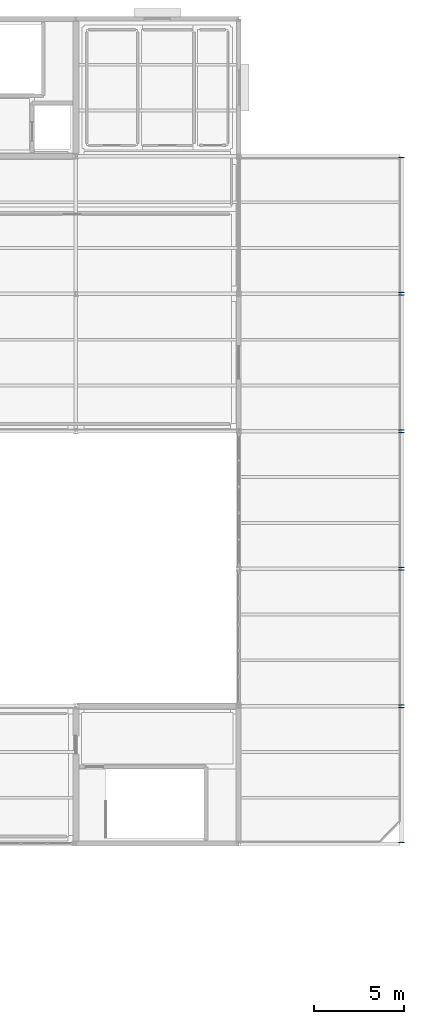
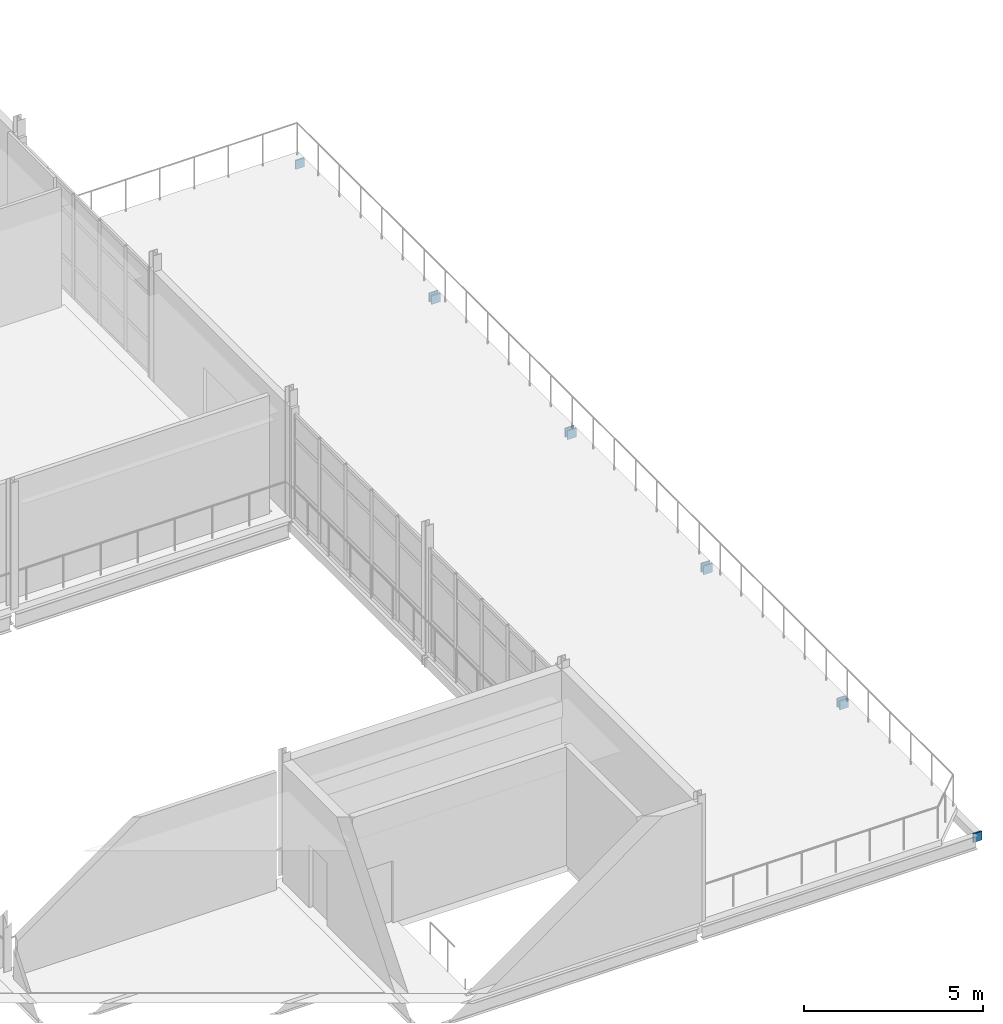
# One storey, part 40 of 48: 10 plates.
"""IFC4 building model written with IfcOpenShell, lengths in metres."""

from ifc_helpers import new_model, si_unit, direction, frame, origin, origin_2d, place, context, subcontext, project, spatial, rectangle, extrude, material, layer, layer_set, type_object, element, save


model = new_model("IFC4")

# Units and contexts
model_context = context("Model", 3, precision=1e-05, world=origin(), true_north=direction((0.0, 1.0)))
body_context = subcontext(model_context, "Body", "Model", "MODEL_VIEW")
ifc_project = project(units=[si_unit("LENGTHUNIT", "METRE"), si_unit("AREAUNIT", "SQUARE_METRE"), si_unit("VOLUMEUNIT", "CUBIC_METRE"), si_unit("PLANEANGLEUNIT", "RADIAN"), si_unit("MASSUNIT", "GRAM", prefix="KILO")], contexts=[model_context])

# Site, building, storey
site_placement = place(None, origin())
site = spatial("IfcSite", under=ifc_project, at=site_placement, CompositionType="ELEMENT")
building_placement = place(site_placement, origin())
building = spatial("IfcBuilding", under=site, at=building_placement, Name="Caisbarro Railhouse Central Library", CompositionType="ELEMENT")
storey_placement = place(building_placement, frame((0.0, 0.0, 18.0)))
storey = spatial("IfcBuildingStorey", under=building, at=storey_placement, Name="L04", CompositionType="ELEMENT", Elevation=18.0)

# Plates
ifc_material = material(Name="Steel ASTM A572 Grade 50", Category="steel")
ifc_layer = layer(ifc_material, 0.044921875, Name="Steel ASTM A572 Grade 50")
ifc_layer_set = layer_set([ifc_layer], Name="Steel ASTM A572 Grade 50")
plate_type = type_object("IfcPlateType", Name="PLT-EP01", PredefinedType="SHEET", material=ifc_layer_set)
for number, where, z_axis, x_axis, name in (
    (1, (153.0, 68.468017578125, -0.51025390625), (0.0, 0.0, 1.0), (0.0, 1.0, 0.0), "EP01 end cap plate"),
    (2, (153.0, 75.931884765625, -0.51025390625), (0.0, 0.0, 1.0), (0.0, 1.0, 0.0), "EP01 end cap plate"),
    (3, (153.0, 76.068115234375, -0.51025390625), (0.0, 0.0, 1.0), (0.0, 1.0, 0.0), "EP01 end cap plate"),
    (4, (153.0, 83.531982421875, -0.51025390625), (0.0, 0.0, 1.0), (0.0, 1.0, 0.0), "EP01 end cap plate"),
    (5, (153.0, 83.66796875, -0.51025390625), (0.0, 0.0, 1.0), (0.0, 1.0, 0.0), "EP01 end cap plate"),
    (6, (153.0, 91.132080078125, -0.51025390625), (0.0, 0.0, 1.0), (0.0, 1.0, 0.0), "EP01 end cap plate"),
    (7, (153.0, 91.26806640625, -0.51025390625), (0.0, 0.0, 1.0), (0.0, 1.0, 0.0), "EP01 end cap plate"),
    (8, (153.0, 98.73193359375, -0.51025390625), (0.0, 0.0, 1.0), (0.0, 1.0, 0.0), "EP01 end cap plate"),
    (9, (153.0, 98.867919921875, -0.51025390625), (0.0, 0.0, 1.0), (0.0, 1.0, 0.0), "EP01 end cap plate"),
    (10, (153.0, 106.33203125, -0.51025390625), (0.0, 0.0, 1.0), (0.0, 1.0, 0.0), "EP01 end cap plate"),
):
    element("IfcPlate", number, at=place(storey_placement, frame(where, z_axis=z_axis, x_axis=x_axis)), inside=storey, type_object=plate_type, Name=name, PredefinedType="SHEET", context=body_context, shape_type="SweptSolid", body=[
        extrude(rectangle(XDim=0.044921875, YDim=0.280029296875, at=origin_2d()), origin(), (0.0, 0.0, 1.0), 0.300048828125),
    ])

save(model, "model.ifc")
